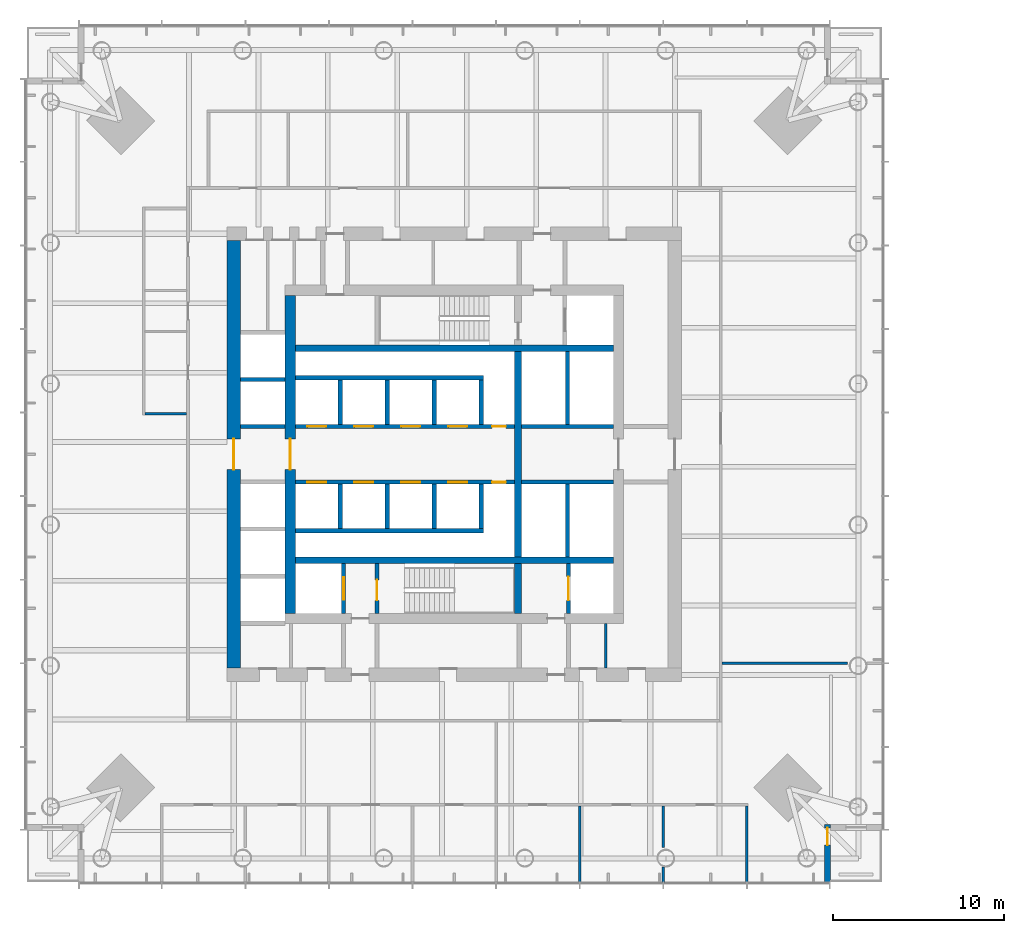
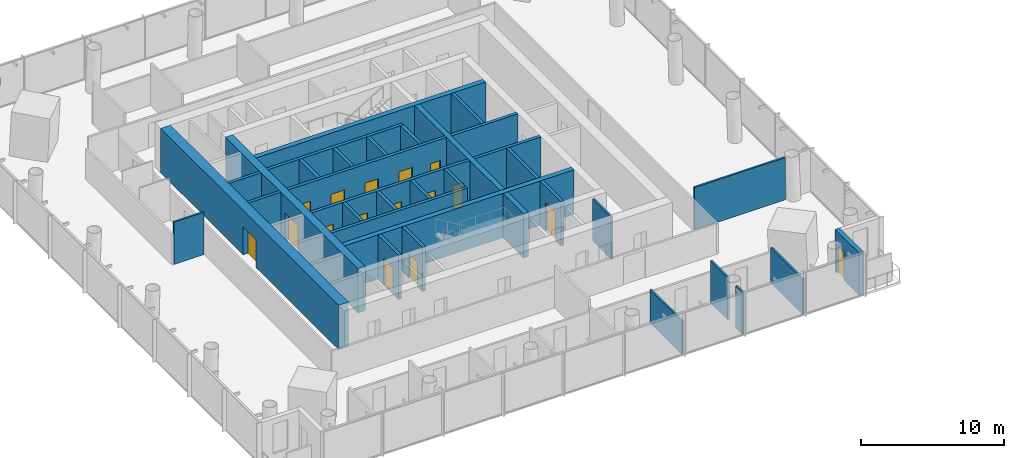
# One storey, part 11 of 21: 35 walls, 16 doors, 16 openings.
"""IFC4 building model written with IfcOpenShell, lengths in metres."""

from ifc_helpers import new_model, si_unit, direction, frame, frame_2d, origin, place, context, subcontext, project, spatial, rectangle, extrude, material, layer, layer_set, type_object, element, fill, save


model = new_model("IFC4")

# Units and contexts
model_context = context("Model", 3, precision=1e-05, world=origin(), true_north=direction((0.0, 1.0)))
body_context = subcontext(model_context, "Body", "Model", "MODEL_VIEW")
ifc_project = project(units=[si_unit("LENGTHUNIT", "METRE"), si_unit("AREAUNIT", "SQUARE_METRE"), si_unit("VOLUMEUNIT", "CUBIC_METRE"), si_unit("PLANEANGLEUNIT", "RADIAN"), si_unit("MASSUNIT", "GRAM", prefix="KILO")], contexts=[model_context])

# Site, building, storey
site_placement = place(None, origin())
site = spatial("IfcSite", under=ifc_project, at=site_placement, CompositionType="ELEMENT")
building_placement = place(site_placement, origin())
building = spatial("IfcBuilding", under=site, at=building_placement, Name="Ostroluk Exchange", CompositionType="ELEMENT")
storey_placement = place(building_placement, frame((0.0, 0.0, 32.39990234375)))
storey = spatial("IfcBuildingStorey", under=building, at=storey_placement, Name="L07", CompositionType="ELEMENT", Elevation=32.39990234375)

# Walls
ifc_material_1 = material(Name="Concrete blockwork", Category="masonry")
ifc_layer_1 = layer(ifc_material_1, 0.14990234375)
ifc_layer_set_1 = layer_set([ifc_layer_1], Name="Blockwork plant room wall 150")
wall_type_1 = type_object("IfcWallType", Name="Blockwork plant room wall 150", PredefinedType="SOLIDWALL", material=ifc_layer_set_1)
wall_1_placement = place(storey_placement, frame((53.85205078125, 33.5, 0.0), z_axis=(0.0, 0.0, 1.0), x_axis=(0.0, 1.0, 0.0)))
element("IfcWall", 1, at=wall_1_placement, inside=storey, type_object=wall_type_1, Name="Core room wall", PredefinedType="SOLIDWALL", context=body_context, shape_type="SweptSolid", body=[
    extrude(rectangle(XDim=2.60009765625, YDim=0.14990234375, at=frame_2d((1.300048828125, 0.0))), origin(), (0.0, 0.0, 1.0), 3.6201171875),
])
ifc_material_2 = material(Name="Concrete C50/60", Category="concrete")
ifc_layer_2 = layer(ifc_material_2, 0.39990234375)
ifc_layer_set_2 = layer_set([ifc_layer_2], Name="Core cross wall 400 C50/60")
wall_type_2 = type_object("IfcWallType", Name="Core cross wall 400 C50/60", PredefinedType="SHEAR", material=ifc_layer_set_2)
for number, where, z_axis, x_axis, name in (
    (2, (35.699951171875, 39.800048828125, 0.0), (0.0, 0.0, 1.0), (1.0, 0.0, 0.0), "T1 core wall XS"),
    (3, (35.699951171875, 52.199951171875, 0.0), (0.0, 0.0, 1.0), (1.0, 0.0, 0.0), "T1 core wall XN"),
):
    element("IfcWall", number, at=place(storey_placement, frame(where, z_axis=z_axis, x_axis=x_axis)), inside=storey, type_object=wall_type_2, Name=name, PredefinedType="SHEAR", context=body_context, shape_type="SweptSolid", body=[
        extrude(rectangle(XDim=18.60009765625, YDim=0.39990234375, at=frame_2d((9.300048828125, 0.0))), origin(), (0.0, 0.0, 1.0), 3.800048828125),
    ])
wall_2_placement = place(storey_placement, frame((48.72998046875, 36.699951171875, 0.0), z_axis=(0.0, 0.0, 1.0), x_axis=(0.0, 1.0, 0.0)))
element("IfcWall", 4, at=wall_2_placement, inside=storey, type_object=wall_type_2, Name="T1 core wall YE1", PredefinedType="SHEAR", context=body_context, shape_type="SweptSolid", body=[
    extrude(rectangle(XDim=2.900146484375, YDim=0.39990234375, at=frame_2d((1.4501953125, 0.0))), origin(), (0.0, 0.0, 1.0), 3.800048828125),
])
wall_3_placement = place(storey_placement, frame((48.72998046875, 40.0, 0.0), z_axis=(0.0, 0.0, 1.0), x_axis=(0.0, 1.0, 0.0)))
element("IfcWall", 5, at=wall_3_placement, inside=storey, type_object=wall_type_2, Name="T1 core wall YE2", PredefinedType="SHEAR", context=body_context, shape_type="SweptSolid", body=[
    extrude(rectangle(XDim=12.0, YDim=0.39990234375, at=frame_2d((6.0, 0.0))), origin(), (0.0, 0.0, 1.0), 3.800048828125),
])

# Wall, opening, door
ifc_material_3 = material(Name="Concrete C40/50", Category="concrete")
ifc_layer_3 = layer(ifc_material_3, 0.25)
ifc_layer_set_3 = layer_set([ifc_layer_3], Name="Core shaft wall 250")
wall_type_3 = type_object("IfcWallType", Name="Core shaft wall 250", PredefinedType="SHEAR", material=ifc_layer_set_3)
wall_4_placement = place(storey_placement, frame((38.52490234375, 36.699951171875, 0.0), z_axis=(0.0, 0.0, 1.0), x_axis=(0.0, 1.0, 0.0)))
wall_4 = element("IfcWall", 6, at=wall_4_placement, inside=storey, type_object=wall_type_3, Name="Firefighting lift shaft wall", PredefinedType="SHEAR", context=body_context, shape_type="SweptSolid", body=[
    extrude(rectangle(XDim=2.900146484375, YDim=0.25, at=frame_2d((1.4501953125, 0.0))), origin(), (0.0, 0.0, 1.0), 3.800048828125),
])
opening_1_placement = place(wall_4_placement, frame((0.800048828125, 0.0, 0.0)))
opening_1 = element("IfcOpeningElement", 7, at=opening_1_placement, cuts=wall_4, Name="Opening LD2", PredefinedType="OPENING", context=body_context, shape_type="SweptSolid", body=[
    extrude(rectangle(XDim=1.300048828125, YDim=2.199951171875, at=frame_2d((0.64990234375, 1.10009765625))), frame((0.0, 0.135009765625, 0.0), z_axis=(0.0, -1.0, 0.0), x_axis=(1.0, 0.0, 0.0)), (0.0, 0.0, 1.0), 0.27001953125),
])
ifc_material_4 = material(Name="Stainless steel", Category="steel")
door_type_1 = type_object("IfcDoorType", Name="Lift landing door E 60 1300 x 2200", OperationType="DOUBLE_DOOR_SLIDING", PredefinedType="DOOR", material=ifc_material_4)
door_1_placement = place(opening_1_placement, origin())
door_1 = element("IfcDoor", 8, at=door_1_placement, inside=storey, type_object=door_type_1, Name="Lift FL1 landing door", OperationType="DOUBLE_DOOR_SLIDING", OverallHeight=2.199951171875, OverallWidth=1.300048828125, PredefinedType="DOOR", context=body_context, shape_type="SweptSolid", body=[
    extrude(rectangle(XDim=1.300048828125, YDim=2.199951171875, at=frame_2d((0.64990234375, 1.10009765625))), frame((0.0, 0.02490234375, 0.0), z_axis=(0.0, -1.0, 0.0), x_axis=(1.0, 0.0, 0.0)), (0.0, 0.0, 1.0), 0.050048828125),
])
fill(opening_1, door_1)

wall_5_placement = place(storey_placement, frame((40.47509765625, 36.699951171875, 0.0), z_axis=(0.0, 0.0, 1.0), x_axis=(0.0, 1.0, 0.0)))
wall_5 = element("IfcWall", 9, at=wall_5_placement, inside=storey, type_object=wall_type_3, Name="Stair shaft wall", PredefinedType="SHEAR", context=body_context, shape_type="SweptSolid", body=[
    extrude(rectangle(XDim=2.900146484375, YDim=0.25, at=frame_2d((1.4501953125, 0.0))), origin(), (0.0, 0.0, 1.0), 3.800048828125),
])
opening_2_placement = place(wall_5_placement, frame((0.75, 0.0, 0.0)))
opening_2 = element("IfcOpeningElement", 10, at=opening_2_placement, cuts=wall_5, Name="Opening FD60S", PredefinedType="OPENING", context=body_context, shape_type="SweptSolid", body=[
    extrude(rectangle(XDim=1.199951171875, YDim=2.10009765625, at=frame_2d((0.60009765625, 1.050048828125))), frame((0.0, 0.135009765625, 0.0), z_axis=(0.0, -1.0, 0.0), x_axis=(1.0, 0.0, 0.0)), (0.0, 0.0, 1.0), 0.27001953125),
])
ifc_material_5 = material(Name="Steel", Category="steel")
door_type_2 = type_object("IfcDoorType", Name="Stair door EI 60 1200 x 2100", OperationType="SINGLE_SWING_LEFT", PredefinedType="DOOR", material=ifc_material_5)
door_2_placement = place(opening_2_placement, origin())
door_2 = element("IfcDoor", 11, at=door_2_placement, inside=storey, type_object=door_type_2, Name="Stair T1-S1 door", OperationType="SINGLE_SWING_LEFT", OverallHeight=2.10009765625, OverallWidth=1.199951171875, PredefinedType="DOOR", context=body_context, shape_type="SweptSolid", body=[
    extrude(rectangle(XDim=1.199951171875, YDim=2.10009765625, at=frame_2d((0.60009765625, 1.050048828125))), frame((0.0, 0.02490234375, 0.0), z_axis=(0.0, -1.0, 0.0), x_axis=(1.0, 0.0, 0.0)), (0.0, 0.0, 1.0), 0.050048828125),
])
fill(opening_2, door_2)

wall_6_placement = place(storey_placement, frame((51.675048828125, 36.699951171875, 0.0), z_axis=(0.0, 0.0, 1.0), x_axis=(0.0, 1.0, 0.0)))
wall_6 = element("IfcWall", 12, at=wall_6_placement, inside=storey, type_object=wall_type_3, Name="Service lift shaft wall", PredefinedType="SHEAR", context=body_context, shape_type="SweptSolid", body=[
    extrude(rectangle(XDim=2.900146484375, YDim=0.25, at=frame_2d((1.4501953125, 0.0))), origin(), (0.0, 0.0, 1.0), 3.800048828125),
])
opening_3_placement = place(wall_6_placement, frame((0.75, 0.0, 0.0)))
opening_3 = element("IfcOpeningElement", 13, at=opening_3_placement, cuts=wall_6, Name="Opening LD3", PredefinedType="OPENING", context=body_context, shape_type="SweptSolid", body=[
    extrude(rectangle(XDim=1.39990234375, YDim=2.39990234375, at=frame_2d((0.699951171875, 1.199951171875))), frame((0.0, 0.135009765625, 0.0), z_axis=(0.0, -1.0, 0.0), x_axis=(1.0, 0.0, 0.0)), (0.0, 0.0, 1.0), 0.27001953125),
])
ifc_material_6 = material(Name="Stainless steel", Category="steel")
door_type_3 = type_object("IfcDoorType", Name="Goods lift landing door E 60 1400 x 2400", OperationType="DOUBLE_DOOR_SLIDING", PredefinedType="DOOR", material=ifc_material_6)
door_3_placement = place(opening_3_placement, origin())
door_3 = element("IfcDoor", 14, at=door_3_placement, inside=storey, type_object=door_type_3, Name="Lift SL1 landing door", OperationType="DOUBLE_DOOR_SLIDING", OverallHeight=2.39990234375, OverallWidth=1.39990234375, PredefinedType="DOOR", context=body_context, shape_type="SweptSolid", body=[
    extrude(rectangle(XDim=1.39990234375, YDim=2.39990234375, at=frame_2d((0.699951171875, 1.199951171875))), frame((0.0, 0.02490234375, 0.0), z_axis=(0.0, -1.0, 0.0), x_axis=(1.0, 0.0, 0.0)), (0.0, 0.0, 1.0), 0.050048828125),
])
fill(opening_3, door_3)

# Walls
for number, where, z_axis, x_axis, name in (
    (15, (38.324951171875, 47.75, 0.0), (0.0, 0.0, 1.0), (0.0, 1.0, 0.0), "Lift shaft wall"),
    (16, (41.074951171875, 47.75, 0.0), (0.0, 0.0, 1.0), (0.0, 1.0, 0.0), "Lift shaft wall"),
    (17, (43.824951171875, 47.75, 0.0), (0.0, 0.0, 1.0), (0.0, 1.0, 0.0), "Lift shaft wall"),
    (18, (46.574951171875, 47.75, 0.0), (0.0, 0.0, 1.0), (0.0, 1.0, 0.0), "Lift shaft wall"),
):
    element("IfcWall", number, at=place(storey_placement, frame(where, z_axis=z_axis, x_axis=x_axis)), inside=storey, type_object=wall_type_3, Name=name, PredefinedType="SHEAR", context=body_context, shape_type="SweptSolid", body=[
        extrude(rectangle(XDim=2.60009765625, YDim=0.25, at=frame_2d((1.300048828125, 0.0))), origin(), (0.0, 0.0, 1.0), 3.800048828125),
    ])
wall_7_placement = place(storey_placement, frame((35.699951171875, 50.47509765625, 0.0), z_axis=(0.0, 0.0, 1.0), x_axis=(1.0, 0.0, 0.0)))
element("IfcWall", 19, at=wall_7_placement, inside=storey, type_object=wall_type_3, Name="Lift shaft wall", PredefinedType="SHEAR", context=body_context, shape_type="SweptSolid", body=[
    extrude(rectangle(XDim=11.0, YDim=0.25, at=frame_2d((5.5, 0.0))), origin(), (0.0, 0.0, 1.0), 3.800048828125),
])

# Wall, openings, doors
wall_8_placement = place(storey_placement, frame((35.699951171875, 47.625, 0.0), z_axis=(0.0, 0.0, 1.0), x_axis=(1.0, 0.0, 0.0)))
wall_8 = element("IfcWall", 20, at=wall_8_placement, inside=storey, type_object=wall_type_3, Name="Lift shaft front wall", PredefinedType="SHEAR", context=body_context, shape_type="SweptSolid", body=[
    extrude(rectangle(XDim=12.830078125, YDim=0.25, at=frame_2d((6.4150390625, 0.0))), origin(), (0.0, 0.0, 1.0), 3.800048828125),
])
opening_4_placement = place(wall_8_placement, frame((0.699951171875, 0.0, 0.0)))
opening_4 = element("IfcOpeningElement", 21, at=opening_4_placement, cuts=wall_8, Name="Opening LD", PredefinedType="OPENING", context=body_context, shape_type="SweptSolid", body=[
    extrude(rectangle(XDim=1.10009765625, YDim=2.199951171875, at=frame_2d((0.550048828125, 1.10009765625))), frame((0.0, 0.135009765625, 0.0), z_axis=(0.0, -1.0, 0.0), x_axis=(1.0, 0.0, 0.0)), (0.0, 0.0, 1.0), 0.27001953125),
])
opening_5_placement = place(wall_8_placement, frame((3.449951171875, 0.0, 0.0)))
opening_5 = element("IfcOpeningElement", 22, at=opening_5_placement, cuts=wall_8, Name="Opening LD", PredefinedType="OPENING", context=body_context, shape_type="SweptSolid", body=[
    extrude(rectangle(XDim=1.10009765625, YDim=2.199951171875, at=frame_2d((0.550048828125, 1.10009765625))), frame((0.0, 0.135009765625, 0.0), z_axis=(0.0, -1.0, 0.0), x_axis=(1.0, 0.0, 0.0)), (0.0, 0.0, 1.0), 0.27001953125),
])
opening_6_placement = place(wall_8_placement, frame((6.199951171875, 0.0, 0.0)))
opening_6 = element("IfcOpeningElement", 23, at=opening_6_placement, cuts=wall_8, Name="Opening LD", PredefinedType="OPENING", context=body_context, shape_type="SweptSolid", body=[
    extrude(rectangle(XDim=1.10009765625, YDim=2.199951171875, at=frame_2d((0.550048828125, 1.10009765625))), frame((0.0, 0.135009765625, 0.0), z_axis=(0.0, -1.0, 0.0), x_axis=(1.0, 0.0, 0.0)), (0.0, 0.0, 1.0), 0.27001953125),
])
opening_7_placement = place(wall_8_placement, frame((8.949951171875, 0.0, 0.0)))
opening_7 = element("IfcOpeningElement", 24, at=opening_7_placement, cuts=wall_8, Name="Opening LD", PredefinedType="OPENING", context=body_context, shape_type="SweptSolid", body=[
    extrude(rectangle(XDim=1.10009765625, YDim=2.199951171875, at=frame_2d((0.550048828125, 1.10009765625))), frame((0.0, 0.135009765625, 0.0), z_axis=(0.0, -1.0, 0.0), x_axis=(1.0, 0.0, 0.0)), (0.0, 0.0, 1.0), 0.27001953125),
])
opening_8_placement = place(wall_8_placement, frame((11.514892578125, 0.0, 0.0)))
opening_8 = element("IfcOpeningElement", 25, at=opening_8_placement, cuts=wall_8, Name="Opening RD60", PredefinedType="OPENING", context=body_context, shape_type="SweptSolid", body=[
    extrude(rectangle(XDim=0.800048828125, YDim=2.0, at=frame_2d((0.39990234375, 1.0))), frame((0.0, 0.135009765625, 0.0), z_axis=(0.0, -1.0, 0.0), x_axis=(1.0, 0.0, 0.0)), (0.0, 0.0, 1.0), 0.27001953125),
])
ifc_material_7 = material(Name="Stainless steel", Category="steel")
door_type_4 = type_object("IfcDoorType", Name="Lift landing door E 60 1100 x 2200", OperationType="DOUBLE_DOOR_SLIDING", PredefinedType="DOOR", material=ifc_material_7)
door_4_placement = place(opening_4_placement, origin())
door_4 = element("IfcDoor", 26, at=door_4_placement, inside=storey, type_object=door_type_4, Name="Lift PL-L1 landing door", OperationType="DOUBLE_DOOR_SLIDING", OverallHeight=2.199951171875, OverallWidth=1.10009765625, PredefinedType="DOOR", context=body_context, shape_type="SweptSolid", body=[
    extrude(rectangle(XDim=1.10009765625, YDim=2.199951171875, at=frame_2d((0.550048828125, 1.10009765625))), frame((0.0, 0.02490234375, 0.0), z_axis=(0.0, -1.0, 0.0), x_axis=(1.0, 0.0, 0.0)), (0.0, 0.0, 1.0), 0.050048828125),
])
fill(opening_4, door_4)
door_5_placement = place(opening_5_placement, origin())
door_5 = element("IfcDoor", 27, at=door_5_placement, inside=storey, type_object=door_type_4, Name="Lift PL-L2 landing door", OperationType="DOUBLE_DOOR_SLIDING", OverallHeight=2.199951171875, OverallWidth=1.10009765625, PredefinedType="DOOR", context=body_context, shape_type="SweptSolid", body=[
    extrude(rectangle(XDim=1.10009765625, YDim=2.199951171875, at=frame_2d((0.550048828125, 1.10009765625))), frame((0.0, 0.02490234375, 0.0), z_axis=(0.0, -1.0, 0.0), x_axis=(1.0, 0.0, 0.0)), (0.0, 0.0, 1.0), 0.050048828125),
])
fill(opening_5, door_5)
door_6_placement = place(opening_6_placement, origin())
door_6 = element("IfcDoor", 28, at=door_6_placement, inside=storey, type_object=door_type_4, Name="Lift PL-L3 landing door", OperationType="DOUBLE_DOOR_SLIDING", OverallHeight=2.199951171875, OverallWidth=1.10009765625, PredefinedType="DOOR", context=body_context, shape_type="SweptSolid", body=[
    extrude(rectangle(XDim=1.10009765625, YDim=2.199951171875, at=frame_2d((0.550048828125, 1.10009765625))), frame((0.0, 0.02490234375, 0.0), z_axis=(0.0, -1.0, 0.0), x_axis=(1.0, 0.0, 0.0)), (0.0, 0.0, 1.0), 0.050048828125),
])
fill(opening_6, door_6)
door_7_placement = place(opening_7_placement, origin())
door_7 = element("IfcDoor", 29, at=door_7_placement, inside=storey, type_object=door_type_4, Name="Lift PL-L4 landing door", OperationType="DOUBLE_DOOR_SLIDING", OverallHeight=2.199951171875, OverallWidth=1.10009765625, PredefinedType="DOOR", context=body_context, shape_type="SweptSolid", body=[
    extrude(rectangle(XDim=1.10009765625, YDim=2.199951171875, at=frame_2d((0.550048828125, 1.10009765625))), frame((0.0, 0.02490234375, 0.0), z_axis=(0.0, -1.0, 0.0), x_axis=(1.0, 0.0, 0.0)), (0.0, 0.0, 1.0), 0.050048828125),
])
fill(opening_7, door_7)
ifc_material_8 = material(Name="Steel", Category="steel")
door_type_5 = type_object("IfcDoorType", Name="Riser access door EI 60 800 x 2000", OperationType="SINGLE_SWING_LEFT", PredefinedType="DOOR", material=ifc_material_8)
door_8_placement = place(opening_8_placement, origin())
door_8 = element("IfcDoor", 30, at=door_8_placement, inside=storey, type_object=door_type_5, Name="Riser access door", OperationType="SINGLE_SWING_RIGHT", OverallHeight=2.0, OverallWidth=0.800048828125, PredefinedType="DOOR", context=body_context, shape_type="SweptSolid", body=[
    extrude(rectangle(XDim=0.800048828125, YDim=2.0, at=frame_2d((0.39990234375, 1.0))), frame((0.0, 0.02490234375, 0.0), z_axis=(0.0, -1.0, 0.0), x_axis=(1.0, 0.0, 0.0)), (0.0, 0.0, 1.0), 0.050048828125),
])
fill(opening_8, door_8)

# Walls
for number, where, z_axis, x_axis, name in (
    (31, (38.324951171875, 44.25, 0.0), (0.0, 0.0, 1.0), (0.0, -1.0, 0.0), "Lift shaft wall"),
    (32, (41.074951171875, 44.25, 0.0), (0.0, 0.0, 1.0), (0.0, -1.0, 0.0), "Lift shaft wall"),
    (33, (43.824951171875, 44.25, 0.0), (0.0, 0.0, 1.0), (0.0, -1.0, 0.0), "Lift shaft wall"),
    (34, (46.574951171875, 44.25, 0.0), (0.0, 0.0, 1.0), (0.0, -1.0, 0.0), "Lift shaft wall"),
):
    element("IfcWall", number, at=place(storey_placement, frame(where, z_axis=z_axis, x_axis=x_axis)), inside=storey, type_object=wall_type_3, Name=name, PredefinedType="SHEAR", context=body_context, shape_type="SweptSolid", body=[
        extrude(rectangle(XDim=2.60009765625, YDim=0.25, at=frame_2d((1.300048828125, 0.0))), origin(), (0.0, 0.0, 1.0), 3.800048828125),
    ])
wall_9_placement = place(storey_placement, frame((35.699951171875, 41.52490234375, 0.0), z_axis=(0.0, 0.0, 1.0), x_axis=(1.0, 0.0, 0.0)))
element("IfcWall", 35, at=wall_9_placement, inside=storey, type_object=wall_type_3, Name="Lift shaft wall", PredefinedType="SHEAR", context=body_context, shape_type="SweptSolid", body=[
    extrude(rectangle(XDim=11.0, YDim=0.25, at=frame_2d((5.5, 0.0))), origin(), (0.0, 0.0, 1.0), 3.800048828125),
])

# Wall, openings, doors
wall_10_placement = place(storey_placement, frame((35.699951171875, 44.375, 0.0), z_axis=(0.0, 0.0, 1.0), x_axis=(1.0, 0.0, 0.0)))
wall_10 = element("IfcWall", 36, at=wall_10_placement, inside=storey, type_object=wall_type_3, Name="Lift shaft front wall", PredefinedType="SHEAR", context=body_context, shape_type="SweptSolid", body=[
    extrude(rectangle(XDim=12.830078125, YDim=0.25, at=frame_2d((6.4150390625, 0.0))), origin(), (0.0, 0.0, 1.0), 3.800048828125),
])
opening_9_placement = place(wall_10_placement, frame((0.699951171875, 0.0, 0.0)))
opening_9 = element("IfcOpeningElement", 37, at=opening_9_placement, cuts=wall_10, Name="Opening LD", PredefinedType="OPENING", context=body_context, shape_type="SweptSolid", body=[
    extrude(rectangle(XDim=1.10009765625, YDim=2.199951171875, at=frame_2d((0.550048828125, 1.10009765625))), frame((0.0, 0.135009765625, 0.0), z_axis=(0.0, -1.0, 0.0), x_axis=(1.0, 0.0, 0.0)), (0.0, 0.0, 1.0), 0.27001953125),
])
opening_10_placement = place(wall_10_placement, frame((3.449951171875, 0.0, 0.0)))
opening_10 = element("IfcOpeningElement", 38, at=opening_10_placement, cuts=wall_10, Name="Opening LD", PredefinedType="OPENING", context=body_context, shape_type="SweptSolid", body=[
    extrude(rectangle(XDim=1.10009765625, YDim=2.199951171875, at=frame_2d((0.550048828125, 1.10009765625))), frame((0.0, 0.135009765625, 0.0), z_axis=(0.0, -1.0, 0.0), x_axis=(1.0, 0.0, 0.0)), (0.0, 0.0, 1.0), 0.27001953125),
])
opening_11_placement = place(wall_10_placement, frame((6.199951171875, 0.0, 0.0)))
opening_11 = element("IfcOpeningElement", 39, at=opening_11_placement, cuts=wall_10, Name="Opening LD", PredefinedType="OPENING", context=body_context, shape_type="SweptSolid", body=[
    extrude(rectangle(XDim=1.10009765625, YDim=2.199951171875, at=frame_2d((0.550048828125, 1.10009765625))), frame((0.0, 0.135009765625, 0.0), z_axis=(0.0, -1.0, 0.0), x_axis=(1.0, 0.0, 0.0)), (0.0, 0.0, 1.0), 0.27001953125),
])
opening_12_placement = place(wall_10_placement, frame((8.949951171875, 0.0, 0.0)))
opening_12 = element("IfcOpeningElement", 40, at=opening_12_placement, cuts=wall_10, Name="Opening LD", PredefinedType="OPENING", context=body_context, shape_type="SweptSolid", body=[
    extrude(rectangle(XDim=1.10009765625, YDim=2.199951171875, at=frame_2d((0.550048828125, 1.10009765625))), frame((0.0, 0.135009765625, 0.0), z_axis=(0.0, -1.0, 0.0), x_axis=(1.0, 0.0, 0.0)), (0.0, 0.0, 1.0), 0.27001953125),
])
opening_13_placement = place(wall_10_placement, frame((11.514892578125, 0.0, 0.0)))
opening_13 = element("IfcOpeningElement", 41, at=opening_13_placement, cuts=wall_10, Name="Opening RD60", PredefinedType="OPENING", context=body_context, shape_type="SweptSolid", body=[
    extrude(rectangle(XDim=0.800048828125, YDim=2.0, at=frame_2d((0.39990234375, 1.0))), frame((0.0, 0.135009765625, 0.0), z_axis=(0.0, -1.0, 0.0), x_axis=(1.0, 0.0, 0.0)), (0.0, 0.0, 1.0), 0.27001953125),
])
door_9_placement = place(opening_9_placement, origin())
door_9 = element("IfcDoor", 42, at=door_9_placement, inside=storey, type_object=door_type_4, Name="Lift PL-L5 landing door", OperationType="DOUBLE_DOOR_SLIDING", OverallHeight=2.199951171875, OverallWidth=1.10009765625, PredefinedType="DOOR", context=body_context, shape_type="SweptSolid", body=[
    extrude(rectangle(XDim=1.10009765625, YDim=2.199951171875, at=frame_2d((0.550048828125, 1.10009765625))), frame((0.0, 0.02490234375, 0.0), z_axis=(0.0, -1.0, 0.0), x_axis=(1.0, 0.0, 0.0)), (0.0, 0.0, 1.0), 0.050048828125),
])
fill(opening_9, door_9)
door_10_placement = place(opening_10_placement, origin())
door_10 = element("IfcDoor", 43, at=door_10_placement, inside=storey, type_object=door_type_4, Name="Lift PL-L6 landing door", OperationType="DOUBLE_DOOR_SLIDING", OverallHeight=2.199951171875, OverallWidth=1.10009765625, PredefinedType="DOOR", context=body_context, shape_type="SweptSolid", body=[
    extrude(rectangle(XDim=1.10009765625, YDim=2.199951171875, at=frame_2d((0.550048828125, 1.10009765625))), frame((0.0, 0.02490234375, 0.0), z_axis=(0.0, -1.0, 0.0), x_axis=(1.0, 0.0, 0.0)), (0.0, 0.0, 1.0), 0.050048828125),
])
fill(opening_10, door_10)
door_11_placement = place(opening_11_placement, origin())
door_11 = element("IfcDoor", 44, at=door_11_placement, inside=storey, type_object=door_type_4, Name="Lift PL-L7 landing door", OperationType="DOUBLE_DOOR_SLIDING", OverallHeight=2.199951171875, OverallWidth=1.10009765625, PredefinedType="DOOR", context=body_context, shape_type="SweptSolid", body=[
    extrude(rectangle(XDim=1.10009765625, YDim=2.199951171875, at=frame_2d((0.550048828125, 1.10009765625))), frame((0.0, 0.02490234375, 0.0), z_axis=(0.0, -1.0, 0.0), x_axis=(1.0, 0.0, 0.0)), (0.0, 0.0, 1.0), 0.050048828125),
])
fill(opening_11, door_11)
door_12_placement = place(opening_12_placement, origin())
door_12 = element("IfcDoor", 45, at=door_12_placement, inside=storey, type_object=door_type_4, Name="Lift PL-L8 landing door", OperationType="DOUBLE_DOOR_SLIDING", OverallHeight=2.199951171875, OverallWidth=1.10009765625, PredefinedType="DOOR", context=body_context, shape_type="SweptSolid", body=[
    extrude(rectangle(XDim=1.10009765625, YDim=2.199951171875, at=frame_2d((0.550048828125, 1.10009765625))), frame((0.0, 0.02490234375, 0.0), z_axis=(0.0, -1.0, 0.0), x_axis=(1.0, 0.0, 0.0)), (0.0, 0.0, 1.0), 0.050048828125),
])
fill(opening_12, door_12)
door_13_placement = place(opening_13_placement, origin())
door_13 = element("IfcDoor", 46, at=door_13_placement, inside=storey, type_object=door_type_5, Name="Riser access door", OperationType="SINGLE_SWING_RIGHT", OverallHeight=2.0, OverallWidth=0.800048828125, PredefinedType="DOOR", context=body_context, shape_type="SweptSolid", body=[
    extrude(rectangle(XDim=0.800048828125, YDim=2.0, at=frame_2d((0.39990234375, 1.0))), frame((0.0, 0.02490234375, 0.0), z_axis=(0.0, -1.0, 0.0), x_axis=(1.0, 0.0, 0.0)), (0.0, 0.0, 1.0), 0.050048828125),
])
fill(opening_13, door_13)

# Walls
wall_11_placement = place(storey_placement, frame((51.614990234375, 47.75, 0.0), z_axis=(0.0, 0.0, 1.0), x_axis=(0.0, 1.0, 0.0)))
element("IfcWall", 47, at=wall_11_placement, inside=storey, type_object=wall_type_3, Name="Lift shaft wall", PredefinedType="SHEAR", context=body_context, shape_type="SweptSolid", body=[
    extrude(rectangle(XDim=4.25, YDim=0.25, at=frame_2d((2.125, 0.0))), origin(), (0.0, 0.0, 1.0), 3.800048828125),
])
wall_12_placement = place(storey_placement, frame((48.929931640625, 47.625, 0.0), z_axis=(0.0, 0.0, 1.0), x_axis=(1.0, 0.0, 0.0)))
element("IfcWall", 48, at=wall_12_placement, inside=storey, type_object=wall_type_3, Name="Lift shaft front wall", PredefinedType="SHEAR", context=body_context, shape_type="SweptSolid", body=[
    extrude(rectangle(XDim=5.3701171875, YDim=0.25, at=frame_2d((2.68505859375, 0.0))), origin(), (0.0, 0.0, 1.0), 3.800048828125),
])
wall_13_placement = place(storey_placement, frame((51.614990234375, 44.25, 0.0), z_axis=(0.0, 0.0, 1.0), x_axis=(0.0, -1.0, 0.0)))
element("IfcWall", 49, at=wall_13_placement, inside=storey, type_object=wall_type_3, Name="Lift shaft wall", PredefinedType="SHEAR", context=body_context, shape_type="SweptSolid", body=[
    extrude(rectangle(XDim=4.25, YDim=0.25, at=frame_2d((2.125, 0.0))), origin(), (0.0, 0.0, 1.0), 3.800048828125),
])
wall_14_placement = place(storey_placement, frame((48.929931640625, 44.375, 0.0), z_axis=(0.0, 0.0, 1.0), x_axis=(1.0, 0.0, 0.0)))
element("IfcWall", 50, at=wall_14_placement, inside=storey, type_object=wall_type_3, Name="Lift shaft front wall", PredefinedType="SHEAR", context=body_context, shape_type="SweptSolid", body=[
    extrude(rectangle(XDim=5.3701171875, YDim=0.25, at=frame_2d((2.68505859375, 0.0))), origin(), (0.0, 0.0, 1.0), 3.800048828125),
])
for number, where, z_axis, x_axis, name in (
    (51, (32.5, 47.625, 0.0), (0.0, 0.0, 1.0), (1.0, 0.0, 0.0), "Lift shaft wall"),
    (52, (32.5, 50.375, 0.0), (0.0, 0.0, 1.0), (1.0, 0.0, 0.0), "Lift shaft wall"),
):
    element("IfcWall", number, at=place(storey_placement, frame(where, z_axis=z_axis, x_axis=x_axis)), inside=storey, type_object=wall_type_3, Name=name, PredefinedType="SHEAR", context=body_context, shape_type="SweptSolid", body=[
        extrude(rectangle(XDim=2.60009765625, YDim=0.25, at=frame_2d((1.300048828125, 0.0))), origin(), (0.0, 0.0, 1.0), 3.800048828125),
    ])

# Wall, opening, door
ifc_material_9 = material(Name="Concrete C50/60", Category="concrete")
ifc_layer_4 = layer(ifc_material_9, 0.60009765625)
ifc_layer_set_4 = layer_set([ifc_layer_4], Name="Core wall 600 C50/60")
wall_type_4 = type_object("IfcWallType", Name="Core wall 600 C50/60", PredefinedType="SHEAR", material=ifc_layer_set_4)
wall_15_placement = place(storey_placement, frame((35.39990234375, 36.699951171875, 0.0), z_axis=(0.0, 0.0, 1.0), x_axis=(0.0, 1.0, 0.0)))
wall_15 = element("IfcWall", 53, at=wall_15_placement, inside=storey, type_object=wall_type_4, Name="T1 core wall W", PredefinedType="SHEAR", context=body_context, shape_type="SweptSolid", body=[
    extrude(rectangle(XDim=18.60009765625, YDim=0.60009765625, at=frame_2d((9.300048828125, 0.0))), origin(), (0.0, 0.0, 1.0), 3.800048828125),
])
opening_14_placement = place(wall_15_placement, frame((8.39990234375, 0.0, 0.0)))
opening_14 = element("IfcOpeningElement", 54, at=opening_14_placement, cuts=wall_15, Name="Opening FD30D", PredefinedType="OPENING", context=body_context, shape_type="SweptSolid", body=[
    extrude(rectangle(XDim=1.800048828125, YDim=2.39990234375, at=frame_2d((0.89990234375, 1.199951171875))), frame((0.0, 0.31005859375, 0.0), z_axis=(0.0, -1.0, 0.0), x_axis=(1.0, 0.0, 0.0)), (0.0, 0.0, 1.0), 0.6201171875),
])
ifc_material_10 = material(Name="Timber", Category="wood")
door_type_6 = type_object("IfcDoorType", Name="Lobby double door EI 30 1800 x 2400", OperationType="DOUBLE_DOOR_SINGLE_SWING", PredefinedType="DOOR", material=ifc_material_10)
door_14_placement = place(opening_14_placement, origin())
door_14 = element("IfcDoor", 55, at=door_14_placement, inside=storey, type_object=door_type_6, Name="Lift lobby doors", OperationType="DOUBLE_DOOR_SINGLE_SWING", OverallHeight=2.39990234375, OverallWidth=1.800048828125, PredefinedType="DOOR", context=body_context, shape_type="SweptSolid", body=[
    extrude(rectangle(XDim=1.800048828125, YDim=2.39990234375, at=frame_2d((0.89990234375, 1.199951171875))), frame((0.0, 0.02490234375, 0.0), z_axis=(0.0, -1.0, 0.0), x_axis=(1.0, 0.0, 0.0)), (0.0, 0.0, 1.0), 0.050048828125),
])
fill(opening_14, door_14)

ifc_material_11 = material(Name="Concrete C50/60", Category="concrete")
ifc_layer_5 = layer(ifc_material_11, 0.800048828125)
ifc_layer_set_5 = layer_set([ifc_layer_5], Name="Core wall 800 C50/60")
wall_type_5 = type_object("IfcWallType", Name="Core wall 800 C50/60", PredefinedType="SHEAR", material=ifc_layer_set_5)
wall_16_placement = place(storey_placement, frame((32.10009765625, 33.5, 0.0), z_axis=(0.0, 0.0, 1.0), x_axis=(0.0, 1.0, 0.0)))
wall_16 = element("IfcWall", 56, at=wall_16_placement, inside=storey, type_object=wall_type_5, Name="T1 core wall RW", PredefinedType="SHEAR", context=body_context, shape_type="SweptSolid", body=[
    extrude(rectangle(XDim=25.0, YDim=0.800048828125, at=frame_2d((12.5, 0.0))), origin(), (0.0, 0.0, 1.0), 3.800048828125),
])
opening_15_placement = place(wall_16_placement, frame((11.60009765625, 0.0, 0.0)))
opening_15 = element("IfcOpeningElement", 57, at=opening_15_placement, cuts=wall_16, Name="Opening FD30D", PredefinedType="OPENING", context=body_context, shape_type="SweptSolid", body=[
    extrude(rectangle(XDim=1.800048828125, YDim=2.39990234375, at=frame_2d((0.89990234375, 1.199951171875))), frame((0.0, 0.409912109375, 0.0), z_axis=(0.0, -1.0, 0.0), x_axis=(1.0, 0.0, 0.0)), (0.0, 0.0, 1.0), 0.820068359375),
])
door_15_placement = place(opening_15_placement, origin())
door_15 = element("IfcDoor", 58, at=door_15_placement, inside=storey, type_object=door_type_6, Name="Lift lobby doors", OperationType="DOUBLE_DOOR_SINGLE_SWING", OverallHeight=2.39990234375, OverallWidth=1.800048828125, PredefinedType="DOOR", context=body_context, shape_type="SweptSolid", body=[
    extrude(rectangle(XDim=1.800048828125, YDim=2.39990234375, at=frame_2d((0.89990234375, 1.199951171875))), frame((0.0, 0.02490234375, 0.0), z_axis=(0.0, -1.0, 0.0), x_axis=(1.0, 0.0, 0.0)), (0.0, 0.0, 1.0), 0.050048828125),
])
fill(opening_15, door_15)

ifc_material_12 = material(Name="Limestone", Category="masonry")
ifc_layer_6 = layer(ifc_material_12, 0.35009765625)
ifc_layer_set_6 = layer_set([ifc_layer_6], Name="Limestone facade wall 350")
wall_type_6 = type_object("IfcWallType", Name="Limestone facade wall 350", PredefinedType="SOLIDWALL", material=ifc_layer_set_6)
wall_17_placement = place(storey_placement, frame((66.824951171875, 21.0, 0.0), z_axis=(0.0, 0.0, 1.0), x_axis=(0.0, 1.0, 0.0)))
wall_17 = element("IfcWall", 59, at=wall_17_placement, inside=storey, type_object=wall_type_6, Name="Office tower SE corner wall L07 a", PredefinedType="SOLIDWALL", context=body_context, shape_type="SweptSolid", body=[
    extrude(rectangle(XDim=3.35009765625, YDim=0.35009765625, at=frame_2d((1.675048828125, 0.0))), origin(), (0.0, 0.0, 1.0), 3.6201171875),
])
opening_16_placement = place(wall_17_placement, frame((2.14990234375, 0.0, 0.0)))
opening_16 = element("IfcOpeningElement", 60, at=opening_16_placement, cuts=wall_17, Name="Opening D-B1", PredefinedType="OPENING", context=body_context, shape_type="SweptSolid", body=[
    extrude(rectangle(XDim=1.0, YDim=2.39990234375, at=frame_2d((0.5, 1.199951171875))), frame((0.0, 0.18505859375, 0.0), z_axis=(0.0, -1.0, 0.0), x_axis=(1.0, 0.0, 0.0)), (0.0, 0.0, 1.0), 0.3701171875),
])
ifc_material_13 = material(Name="Bronze framed glazed door", Category="aluminium")
door_type_7 = type_object("IfcDoorType", Name="Balcony door 1000 x 2400", OperationType="SINGLE_SWING_LEFT", PredefinedType="DOOR", material=ifc_material_13)
door_16_placement = place(opening_16_placement, origin())
door_16 = element("IfcDoor", 61, at=door_16_placement, inside=storey, type_object=door_type_7, Name="Office tower SE balcony door L07", OperationType="SINGLE_SWING_RIGHT", OverallHeight=2.39990234375, OverallWidth=1.0, PredefinedType="DOOR", context=body_context, shape_type="SweptSolid", body=[
    extrude(rectangle(XDim=1.0, YDim=2.39990234375, at=frame_2d((0.5, 1.199951171875))), frame((0.0, 0.02490234375, 0.0), z_axis=(0.0, -1.0, 0.0), x_axis=(1.0, 0.0, 0.0)), (0.0, 0.0, 1.0), 0.050048828125),
])
fill(opening_16, door_16)

# Walls
ifc_material_14 = material(Name="Gypsum plasterboard partition", Category="gypsum")
ifc_layer_7 = layer(ifc_material_14, 0.14990234375)
ifc_layer_set_7 = layer_set([ifc_layer_7], Name="Plasterboard partition 150")
wall_type_7 = type_object("IfcWallType", Name="Plasterboard partition 150", PredefinedType="PARTITIONING", material=ifc_layer_set_7)
wall_18_placement = place(storey_placement, frame((52.333251953125, 25.425048828125, 0.0), z_axis=(0.0, 0.0, 1.0), x_axis=(0.0, -1.0, 0.0)))
element("IfcWall", 62, at=wall_18_placement, inside=storey, type_object=wall_type_7, Name="Partition", PredefinedType="PARTITIONING", context=body_context, shape_type="SweptSolid", body=[
    extrude(rectangle(XDim=4.465087890625, YDim=0.14990234375, at=frame_2d((2.232421875, 0.0))), origin(), (0.0, 0.0, 1.0), 2.85009765625),
])
wall_19_placement = place(storey_placement, frame((57.22216796875, 25.425048828125, 0.0), z_axis=(0.0, 0.0, 1.0), x_axis=(0.0, -1.0, 0.0)))
element("IfcWall", 63, at=wall_19_placement, inside=storey, type_object=wall_type_7, Name="Partition", PredefinedType="PARTITIONING", context=body_context, shape_type="SweptSolid", body=[
    extrude(rectangle(XDim=2.431396484375, YDim=0.14990234375, at=frame_2d((1.2158203125, 0.0))), origin(), (0.0, 0.0, 1.0), 3.6201171875),
])
wall_20_placement = place(storey_placement, frame((57.22216796875, 21.856201171875, 0.0), z_axis=(0.0, 0.0, 1.0), x_axis=(0.0, -1.0, 0.0)))
element("IfcWall", 64, at=wall_20_placement, inside=storey, type_object=wall_type_7, Name="Partition", PredefinedType="PARTITIONING", context=body_context, shape_type="SweptSolid", body=[
    extrude(rectangle(XDim=0.896240234375, YDim=0.14990234375, at=frame_2d((0.4482421875, 0.0))), origin(), (0.0, 0.0, 1.0), 3.6201171875),
])
wall_21_placement = place(storey_placement, frame((62.111083984375, 25.425048828125, 0.0), z_axis=(0.0, 0.0, 1.0), x_axis=(0.0, -1.0, 0.0)))
element("IfcWall", 65, at=wall_21_placement, inside=storey, type_object=wall_type_7, Name="Partition", PredefinedType="PARTITIONING", context=body_context, shape_type="SweptSolid", body=[
    extrude(rectangle(XDim=4.465087890625, YDim=0.14990234375, at=frame_2d((2.232421875, 0.0))), origin(), (0.0, 0.0, 1.0), 3.02001953125),
])
wall_22_placement = place(storey_placement, frame((60.64990234375, 33.77783203125, 0.0), z_axis=(0.0, 0.0, 1.0), x_axis=(1.0, 0.0, 0.0)))
element("IfcWall", 66, at=wall_22_placement, inside=storey, type_object=wall_type_7, Name="Tenancy partition", PredefinedType="PARTITIONING", context=body_context, shape_type="SweptSolid", body=[
    extrude(rectangle(XDim=7.3564453125, YDim=0.14990234375, at=frame_2d((3.67822265625, 0.0))), origin(), (0.0, 0.0, 1.0), 3.6201171875),
])
ifc_material_15 = material(Name="Gypsum plasterboard partition, moisture resistant", Category="gypsum")
ifc_layer_8 = layer(ifc_material_15, 0.14990234375)
ifc_layer_set_8 = layer_set([ifc_layer_8], Name="Plasterboard toilet partition 150")
wall_type_8 = type_object("IfcWallType", Name="Plasterboard toilet partition 150", PredefinedType="PARTITIONING", material=ifc_layer_set_8)
wall_23_placement = place(storey_placement, frame((29.35009765625, 48.375, 0.0), z_axis=(0.0, 0.0, 1.0), x_axis=(-1.0, 0.0, 0.0)))
element("IfcWall", 67, at=wall_23_placement, inside=storey, type_object=wall_type_8, Name="Toilet partition", PredefinedType="PARTITIONING", context=body_context, shape_type="SweptSolid", body=[
    extrude(rectangle(XDim=2.4501953125, YDim=0.14990234375, at=frame_2d((1.22509765625, 0.0))), origin(), (0.0, 0.0, 1.0), 3.6201171875),
])

save(model, "model.ifc")
